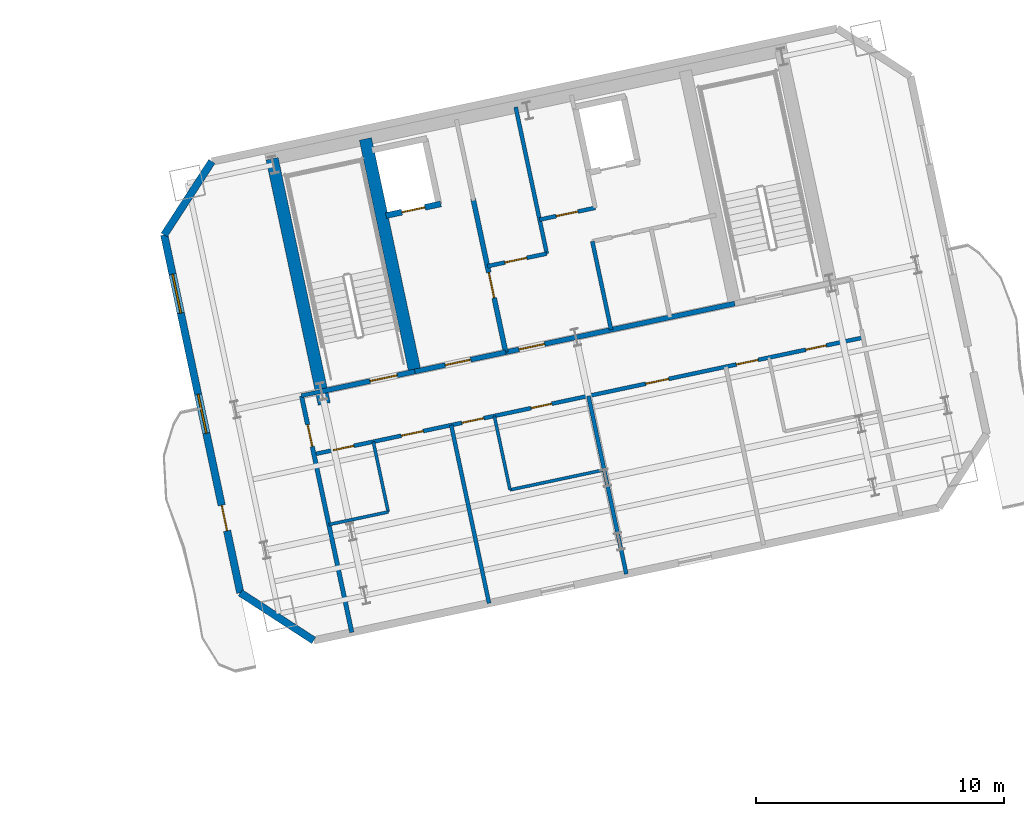
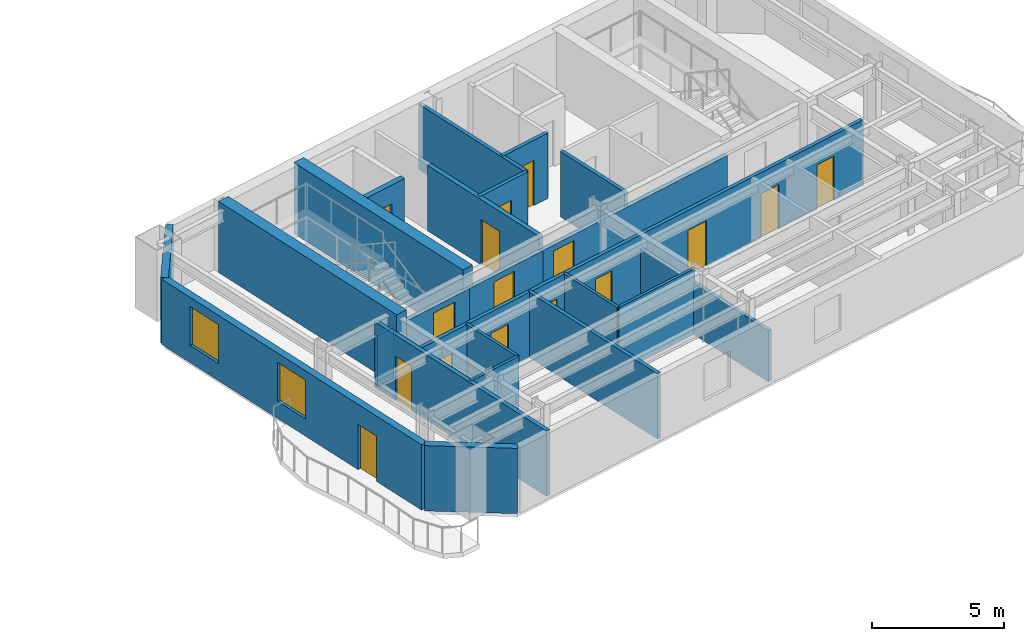
# One storey, part 8 of 14: 23 walls, 16 doors, 2 windows, 18 openings.
"""IFC4 building model written with IfcOpenShell, lengths in metres."""

from ifc_helpers import new_model, si_unit, direction, frame, frame_2d, origin, place, context, subcontext, project, spatial, rectangle, extrude, material, layer, layer_set, type_object, element, fill, save


model = new_model("IFC4")

# Units and contexts
model_context = context("Model", 3, precision=1e-05, world=origin(), true_north=direction((0.0, 1.0)))
body_context = subcontext(model_context, "Body", "Model", "MODEL_VIEW")
ifc_project = project(units=[si_unit("LENGTHUNIT", "METRE"), si_unit("AREAUNIT", "SQUARE_METRE"), si_unit("VOLUMEUNIT", "CUBIC_METRE"), si_unit("PLANEANGLEUNIT", "RADIAN"), si_unit("MASSUNIT", "GRAM", prefix="KILO")], contexts=[model_context])

# Site, building, storey
site_placement = place(None, origin())
site = spatial("IfcSite", under=ifc_project, at=site_placement, CompositionType="ELEMENT")
building_placement = place(site_placement, origin())
building = spatial("IfcBuilding", under=site, at=building_placement, Name="Haevon Station Towers", CompositionType="ELEMENT")
storey_placement = place(building_placement, frame((0.0, 0.0, 179.10009765625)))
storey = spatial("IfcBuildingStorey", under=building, at=storey_placement, Name="L49", CompositionType="ELEMENT", Elevation=179.10009765625)

# Wall, opening, door
ifc_material_1 = material(Name="Gypsum board on steel stud", Category="steel")
ifc_layer_1 = layer(ifc_material_1, 0.179931640625)
ifc_layer_set_1 = layer_set([ifc_layer_1], Name="Gypsum board on steel stud")
wall_type_1 = type_object("IfcWallType", Name="WL-ACU180", PredefinedType="PARTITIONING", material=ifc_layer_set_1)
wall_1_placement = place(storey_placement, frame((99.9716796875, 27.71337890625, 0.0), z_axis=(0.0, 0.0, 1.0), x_axis=(-0.207909264222, 0.97814811652, 0.0)))
wall_1 = element("IfcWall", 1, at=wall_1_placement, inside=storey, type_object=wall_type_1, Name="WL-T2PT-L49-03", PredefinedType="PARTITIONING", context=body_context, shape_type="SweptSolid", body=[
    extrude(rectangle(XDim=9.769775390625, YDim=0.179931640625, at=frame_2d((4.884765625, 0.0))), origin(), (0.0, 0.0, 1.0), 3.02978515625),
])
opening_1_placement = place(wall_1_placement, frame((7.669921875, 0.0, 0.0)))
opening_1 = element("IfcOpeningElement", 2, at=opening_1_placement, cuts=wall_1, Name="Opening DR-WL-T2PT-L49-03-01", PredefinedType="OPENING", context=body_context, shape_type="SweptSolid", body=[
    extrude(rectangle(XDim=0.89990234375, YDim=2.050048828125, at=frame_2d((0.449951171875, 1.02490234375))), frame((0.0, 0.099853515625, 0.0), z_axis=(0.0, -1.0, 0.0), x_axis=(1.0, 0.0, 0.0)), (0.0, 0.0, 1.0), 0.199951171875),
])
ifc_material_2 = material(Name="Engineered oak timber", Category="wood")
door_type_1 = type_object("IfcDoorType", Name="DR-INT-900", OperationType="NOTDEFINED", PredefinedType="DOOR", material=ifc_material_2)
door_1_placement = place(opening_1_placement, origin())
door_1 = element("IfcDoor", 3, at=door_1_placement, inside=storey, type_object=door_type_1, Name="L49 Tower 2 Room Door 3-1", OperationType="SINGLE_SWING_RIGHT", OverallHeight=2.050048828125, OverallWidth=0.89990234375, PredefinedType="DOOR", context=body_context, shape_type="SweptSolid", body=[
    extrude(rectangle(XDim=0.89990234375, YDim=2.050048828125, at=frame_2d((0.449951171875, 1.02490234375))), frame((0.0, 0.02490234375, 0.0), z_axis=(0.0, -1.0, 0.0), x_axis=(1.0, 0.0, 0.0)), (0.0, 0.0, 1.0), 0.050048828125),
])
fill(opening_1, door_1)

ifc_layer_2 = layer(ifc_material_1, 0.199951171875)
ifc_layer_set_2 = layer_set([ifc_layer_2], Name="Gypsum board on steel stud")
wall_type_2 = type_object("IfcWallType", Name="WL-COR200", PredefinedType="PARTITIONING", material=ifc_layer_set_2)
wall_2_placement = place(storey_placement, frame((98.75244140625, 37.4423828125, 0.0), z_axis=(0.0, 0.0, 1.0), x_axis=(0.978143537786, 0.207930804564, 0.0)))
wall_2 = element("IfcWall", 4, at=wall_2_placement, inside=storey, type_object=wall_type_2, Name="WL-ST-ST3-L49", PredefinedType="PARTITIONING", context=body_context, shape_type="SweptSolid", body=[
    extrude(rectangle(XDim=3.85009765625, YDim=0.199951171875, at=frame_2d((1.925048828125, 0.0))), origin(), (0.0, 0.0, 1.0), 2.3798828125),
])
opening_2_placement = place(wall_2_placement, frame((2.0, 0.0, 0.0)))
opening_2 = element("IfcOpeningElement", 5, at=opening_2_placement, cuts=wall_2, Name="Opening DR-ST-ST3-L49", PredefinedType="OPENING", context=body_context, shape_type="SweptSolid", body=[
    extrude(rectangle(XDim=1.1201171875, YDim=2.10009765625, at=frame_2d((0.56005859375, 1.050048828125))), frame((0.0, 0.10986328125, 0.0), z_axis=(0.0, -1.0, 0.0), x_axis=(1.0, 0.0, 0.0)), (0.0, 0.0, 1.0), 0.219970703125),
])
door_type_2 = type_object("IfcDoorType", Name="DR-ST-1120", OperationType="NOTDEFINED", PredefinedType="DOOR", material=ifc_material_2)
door_2_placement = place(opening_2_placement, origin())
door_2 = element("IfcDoor", 6, at=door_2_placement, inside=storey, type_object=door_type_2, Name="L49 Escape Stair ST3 Fire Door", OperationType="SINGLE_SWING_RIGHT", OverallHeight=2.10009765625, OverallWidth=1.1201171875, PredefinedType="DOOR", context=body_context, shape_type="SweptSolid", body=[
    extrude(rectangle(XDim=1.1201171875, YDim=2.10009765625, at=frame_2d((0.56005859375, 1.050048828125))), frame((0.0, 0.02490234375, 0.0), z_axis=(0.0, -1.0, 0.0), x_axis=(1.0, 0.0, 0.0)), (0.0, 0.0, 1.0), 0.050048828125),
])
fill(opening_2, door_2)

wall_3_placement = place(storey_placement, frame((106.186279296875, 39.0224609375, 0.0), z_axis=(0.0, 0.0, 1.0), x_axis=(-0.207916691923, 0.978146537703, 0.0)))
wall_3 = element("IfcWall", 7, at=wall_3_placement, inside=storey, type_object=wall_type_2, Name="WL-T2FFL-L49-E", PredefinedType="PARTITIONING", context=body_context, shape_type="SweptSolid", body=[
    extrude(rectangle(XDim=6.35009765625, YDim=0.199951171875, at=frame_2d((3.175048828125, 0.0))), origin(), (0.0, 0.0, 1.0), 3.02978515625),
])
opening_3_placement = place(wall_3_placement, frame((2.239990234375, 0.0, 0.0)))
opening_3 = element("IfcOpeningElement", 8, at=opening_3_placement, cuts=wall_3, Name="Opening DR-T2FFL-L49-E", PredefinedType="OPENING", context=body_context, shape_type="SweptSolid", body=[
    extrude(rectangle(XDim=1.050048828125, YDim=2.10009765625, at=frame_2d((0.52490234375, 1.050048828125))), frame((0.0, 0.10986328125, 0.0), z_axis=(0.0, -1.0, 0.0), x_axis=(1.0, 0.0, 0.0)), (0.0, 0.0, 1.0), 0.219970703125),
])
door_type_3 = type_object("IfcDoorType", Name="DR-FD60-1050", OperationType="NOTDEFINED", PredefinedType="DOOR", material=ifc_material_2)
door_3_placement = place(opening_3_placement, origin())
door_3 = element("IfcDoor", 9, at=door_3_placement, inside=storey, type_object=door_type_3, Name="L49 Tower 2 Firefighting Lift Lobby Door E", OperationType="SINGLE_SWING_RIGHT", OverallHeight=2.10009765625, OverallWidth=1.050048828125, PredefinedType="DOOR", context=body_context, shape_type="SweptSolid", body=[
    extrude(rectangle(XDim=1.050048828125, YDim=2.10009765625, at=frame_2d((0.52490234375, 1.050048828125))), frame((0.0, 0.02490234375, 0.0), z_axis=(0.0, -1.0, 0.0), x_axis=(1.0, 0.0, 0.0)), (0.0, 0.0, 1.0), 0.050048828125),
])
fill(opening_3, door_3)

wall_4_placement = place(storey_placement, frame((102.518310546875, 38.242919921875, 0.0), z_axis=(0.0, 0.0, 1.0), x_axis=(0.978153555683, 0.20788367301, 0.0)))
wall_4 = element("IfcWall", 10, at=wall_4_placement, inside=storey, type_object=wall_type_2, Name="WL-T2FFL-L49-S", PredefinedType="PARTITIONING", context=body_context, shape_type="SweptSolid", body=[
    extrude(rectangle(XDim=3.75, YDim=0.199951171875, at=frame_2d((1.875, 0.0))), origin(), (0.0, 0.0, 1.0), 2.3798828125),
])
opening_4_placement = place(wall_4_placement, frame((1.25, 0.0, 0.0)))
opening_4 = element("IfcOpeningElement", 11, at=opening_4_placement, cuts=wall_4, Name="Opening DR-T2FFL-L49-S", PredefinedType="OPENING", context=body_context, shape_type="SweptSolid", body=[
    extrude(rectangle(XDim=1.050048828125, YDim=2.10009765625, at=frame_2d((0.52490234375, 1.050048828125))), frame((0.0, 0.10986328125, 0.0), z_axis=(0.0, -1.0, 0.0), x_axis=(1.0, 0.0, 0.0)), (0.0, 0.0, 1.0), 0.219970703125),
])
door_4_placement = place(opening_4_placement, origin())
door_4 = element("IfcDoor", 12, at=door_4_placement, inside=storey, type_object=door_type_3, Name="L49 Tower 2 Firefighting Lift Lobby Door S", OperationType="SINGLE_SWING_LEFT", OverallHeight=2.10009765625, OverallWidth=1.050048828125, PredefinedType="DOOR", context=body_context, shape_type="SweptSolid", body=[
    extrude(rectangle(XDim=1.050048828125, YDim=2.10009765625, at=frame_2d((0.52490234375, 1.050048828125))), frame((0.0, 0.02490234375, 0.0), z_axis=(0.0, -1.0, 0.0), x_axis=(1.0, 0.0, 0.0)), (0.0, 0.0, 1.0), 0.050048828125),
])
fill(opening_4, door_4)

wall_5_placement = place(storey_placement, frame((106.186279296875, 39.0224609375, 0.0), z_axis=(0.0, 0.0, 1.0), x_axis=(0.978145519981, 0.20792147975, 0.0)))
wall_5 = element("IfcWall", 13, at=wall_5_placement, inside=storey, type_object=wall_type_2, Name="WL-T2CLB-L49", PredefinedType="PARTITIONING", context=body_context, shape_type="SweptSolid", body=[
    extrude(rectangle(XDim=9.449951171875, YDim=0.199951171875, at=frame_2d((4.72509765625, 0.0))), origin(), (0.0, 0.0, 1.0), 2.3798828125),
])
opening_5_placement = place(wall_5_placement, frame((0.550048828125, 0.0, 0.0)))
opening_5 = element("IfcOpeningElement", 14, at=opening_5_placement, cuts=wall_5, Name="Opening DR-T2CLB-L49-1", PredefinedType="OPENING", context=body_context, shape_type="SweptSolid", body=[
    extrude(rectangle(XDim=1.050048828125, YDim=2.10009765625, at=frame_2d((0.52490234375, 1.050048828125))), frame((0.0, 0.10986328125, 0.0), z_axis=(0.0, -1.0, 0.0), x_axis=(1.0, 0.0, 0.0)), (0.0, 0.0, 1.0), 0.219970703125),
])
door_5_placement = place(opening_5_placement, origin())
door_5 = element("IfcDoor", 15, at=door_5_placement, inside=storey, type_object=door_type_3, Name="L49 Tower 2 Core Lift Lobby Door 1", OperationType="SINGLE_SWING_RIGHT", OverallHeight=2.10009765625, OverallWidth=1.050048828125, PredefinedType="DOOR", context=body_context, shape_type="SweptSolid", body=[
    extrude(rectangle(XDim=1.050048828125, YDim=2.10009765625, at=frame_2d((0.52490234375, 1.050048828125))), frame((0.0, 0.02490234375, 0.0), z_axis=(0.0, -1.0, 0.0), x_axis=(1.0, 0.0, 0.0)), (0.0, 0.0, 1.0), 0.050048828125),
])
fill(opening_5, door_5)

# Walls
ifc_material_3 = material(Name="Concrete C60/75", Category="concrete")
ifc_layer_3 = layer(ifc_material_3, 0.5)
ifc_layer_set_3 = layer_set([ifc_layer_3], Name="Concrete C60/75")
wall_type_3 = type_object("IfcWallType", Name="WL-CR500", PredefinedType="SHEAR", material=ifc_layer_set_3)
wall_6_placement = place(storey_placement, frame((98.8603515625, 36.933837890625, 0.0), z_axis=(0.0, 0.0, 1.0), x_axis=(-0.20790924889, 0.978148119778, 0.0)))
element("IfcWall", 16, at=wall_6_placement, inside=storey, type_object=wall_type_3, Name="WL-T2CR-L49-W", PredefinedType="SHEAR", context=body_context, shape_type="SweptSolid", body=[
    extrude(rectangle(XDim=10.119873046875, YDim=0.5, at=frame_2d((5.06005859375, 0.0))), origin(), (0.0, 0.0, 1.0), 3.2998046875),
])
wall_7_placement = place(storey_placement, frame((102.518310546875, 38.242919921875, 0.0), z_axis=(0.0, 0.0, 1.0), x_axis=(-0.207927495108, 0.978144241295, 0.0)))
element("IfcWall", 17, at=wall_7_placement, inside=storey, type_object=wall_type_3, Name="WL-T2CR-L49-M1", PredefinedType="SHEAR", context=body_context, shape_type="SweptSolid", body=[
    extrude(rectangle(XDim=9.599853515625, YDim=0.5, at=frame_2d((4.7998046875, 0.0))), origin(), (0.0, 0.0, 1.0), 3.2998046875),
])
ifc_material_4 = material(Name="Precast concrete C45/55", Category="concrete")
ifc_layer_4 = layer(ifc_material_4, 0.300048828125)
ifc_layer_set_4 = layer_set([ifc_layer_4], Name="Precast concrete C45/55")
wall_type_4 = type_object("IfcWallType", Name="WL-EXT-PIER300", PredefinedType="SOLIDWALL", material=ifc_layer_set_4)
wall_8_placement = place(storey_placement, frame((98.43603515625, 27.386962890625, 0.0), z_axis=(0.0, 0.0, 1.0), x_axis=(-0.838672309694, 0.544636352948, 0.0)))
element("IfcWall", 18, at=wall_8_placement, inside=storey, type_object=wall_type_4, Name="WL-T2-L49-SWC", PredefinedType="SOLIDWALL", context=body_context, shape_type="SweptSolid", body=[
    extrude(rectangle(XDim=3.535400390625, YDim=0.300048828125, at=frame_2d((1.767578125, 0.0))), origin(), (0.0, 0.0, 1.0), 3.02978515625),
])

# Wall, openings, door, windows
wall_9_placement = place(storey_placement, frame((95.470947265625, 29.3125, 0.0), z_axis=(0.0, 0.0, 1.0), x_axis=(-0.207907783045, 0.978148431348, 0.0)))
wall_9 = element("IfcWall", 19, at=wall_9_placement, inside=storey, type_object=wall_type_4, Name="WL-T2-L49-W", PredefinedType="SOLIDWALL", context=body_context, shape_type="SweptSolid", body=[
    extrude(rectangle(XDim=14.77001953125, YDim=0.300048828125, at=frame_2d((7.385009765625, 0.0))), origin(), (0.0, 0.0, 1.0), 3.02978515625),
])
opening_6_placement = place(wall_9_placement, frame((2.56005859375, 0.0, 0.0)))
opening_6 = element("IfcOpeningElement", 20, at=opening_6_placement, cuts=wall_9, Name="Opening DR-T2-SCAL-L49-W", PredefinedType="OPENING", context=body_context, shape_type="SweptSolid", body=[
    extrude(rectangle(XDim=1.050048828125, YDim=2.10009765625, at=frame_2d((0.52490234375, 1.050048828125))), frame((0.0, 0.159912109375, 0.0), z_axis=(0.0, -1.0, 0.0), x_axis=(1.0, 0.0, 0.0)), (0.0, 0.0, 1.0), 0.320068359375),
])
opening_7_placement = place(wall_9_placement, frame((6.5849609375, 0.0, 0.800048828125)))
opening_7 = element("IfcOpeningElement", 21, at=opening_7_placement, cuts=wall_9, Name="Opening WN-END160", PredefinedType="OPENING", context=body_context, shape_type="SweptSolid", body=[
    extrude(rectangle(XDim=1.60009765625, YDim=1.800048828125, at=frame_2d((0.800048828125, 0.89990234375))), frame((0.0, 0.159912109375, 0.0), z_axis=(0.0, -1.0, 0.0), x_axis=(1.0, 0.0, 0.0)), (0.0, 0.0, 1.0), 0.320068359375),
])
opening_8_placement = place(wall_9_placement, frame((11.543701171875, 0.0, 0.800048828125)))
opening_8 = element("IfcOpeningElement", 22, at=opening_8_placement, cuts=wall_9, Name="Opening WN-END160", PredefinedType="OPENING", context=body_context, shape_type="SweptSolid", body=[
    extrude(rectangle(XDim=1.60009765625, YDim=1.800048828125, at=frame_2d((0.800048828125, 0.89990234375))), frame((0.0, 0.159912109375, 0.0), z_axis=(0.0, -1.0, 0.0), x_axis=(1.0, 0.0, 0.0)), (0.0, 0.0, 1.0), 0.320068359375),
])
ifc_material_5 = material(Name="Thermally broken anodised aluminium and laminated safety glass", Category="aluminium")
door_type_4 = type_object("IfcDoorType", Name="DR-BALC-1050", OperationType="NOTDEFINED", PredefinedType="DOOR", material=ifc_material_5)
door_6_placement = place(opening_6_placement, origin())
door_6 = element("IfcDoor", 23, at=door_6_placement, inside=storey, type_object=door_type_4, Name="Tower 2 L49 West Scalloped Balcony Door", OperationType="SINGLE_SWING_LEFT", OverallHeight=2.10009765625, OverallWidth=1.050048828125, PredefinedType="DOOR", context=body_context, shape_type="SweptSolid", body=[
    extrude(rectangle(XDim=1.050048828125, YDim=2.10009765625, at=frame_2d((0.52490234375, 1.050048828125))), frame((0.0, 0.02490234375, 0.0), z_axis=(0.0, -1.0, 0.0), x_axis=(1.0, 0.0, 0.0)), (0.0, 0.0, 1.0), 0.050048828125),
])
fill(opening_6, door_6)
ifc_material_6 = material(Name="Low-E triple glazing in thermally broken aluminium", Category="aluminium")
window_type = type_object("IfcWindowType", Name="WN-END160", PartitioningType="SINGLE_PANEL", PredefinedType="WINDOW", material=ifc_material_6)
window_1_placement = place(opening_7_placement, origin())
window_1 = element("IfcWindow", 24, at=window_1_placement, inside=storey, type_object=window_type, Name="WN-T2-L49-W01", OverallHeight=1.800048828125, OverallWidth=1.60009765625, PartitioningType="SINGLE_PANEL", PredefinedType="WINDOW", context=body_context, shape_type="SweptSolid", body=[
    extrude(rectangle(XDim=1.60009765625, YDim=1.800048828125, at=frame_2d((0.800048828125, 0.89990234375))), frame((0.0, 0.030029296875, 0.0), z_axis=(0.0, -1.0, 0.0), x_axis=(1.0, 0.0, 0.0)), (0.0, 0.0, 1.0), 0.06005859375),
])
fill(opening_7, window_1)
window_2_placement = place(opening_8_placement, origin())
window_2 = element("IfcWindow", 25, at=window_2_placement, inside=storey, type_object=window_type, Name="WN-T2-L49-W02", OverallHeight=1.800048828125, OverallWidth=1.60009765625, PartitioningType="SINGLE_PANEL", PredefinedType="WINDOW", context=body_context, shape_type="SweptSolid", body=[
    extrude(rectangle(XDim=1.60009765625, YDim=1.800048828125, at=frame_2d((0.800048828125, 0.89990234375))), frame((0.0, 0.030029296875, 0.0), z_axis=(0.0, -1.0, 0.0), x_axis=(1.0, 0.0, 0.0)), (0.0, 0.0, 1.0), 0.06005859375),
])
fill(opening_8, window_2)

# Walls
wall_10_placement = place(storey_placement, frame((92.400146484375, 43.759765625, 0.0), z_axis=(0.0, 0.0, 1.0), x_axis=(0.544636352948, 0.838672309694, 0.0)))
element("IfcWall", 26, at=wall_10_placement, inside=storey, type_object=wall_type_4, Name="WL-T2-L49-NWC", PredefinedType="SOLIDWALL", context=body_context, shape_type="SweptSolid", body=[
    extrude(rectangle(XDim=3.535400390625, YDim=0.300048828125, at=frame_2d((1.767578125, 0.0))), origin(), (0.0, 0.0, 1.0), 3.02978515625),
])
ifc_layer_5 = layer(ifc_material_1, 0.125)
ifc_layer_set_5 = layer_set([ifc_layer_5], Name="Gypsum board on steel stud")
wall_type_5 = type_object("IfcWallType", Name="WL-PRT125", PredefinedType="PARTITIONING", material=ifc_layer_set_5)
wall_11_placement = place(storey_placement, frame((99.046630859375, 32.066162109375, 0.0), z_axis=(0.0, 0.0, 1.0), x_axis=(0.978156824814, 0.207868290196, 0.0)))
element("IfcWall", 27, at=wall_11_placement, inside=storey, type_object=wall_type_5, Name="WL-T2PT-L49-05", PredefinedType="PARTITIONING", context=body_context, shape_type="SweptSolid", body=[
    extrude(rectangle(XDim=2.449951171875, YDim=0.125, at=frame_2d((1.22509765625, 0.0))), origin(), (0.0, 0.0, 1.0), 3.02978515625),
])
wall_12_placement = place(storey_placement, frame((101.443115234375, 32.575439453125, 0.0), z_axis=(0.0, 0.0, 1.0), x_axis=(-0.207936282142, 0.978142373363, 0.0)))
element("IfcWall", 28, at=wall_12_placement, inside=storey, type_object=wall_type_5, Name="WL-T2PT-L49-06", PredefinedType="PARTITIONING", context=body_context, shape_type="SweptSolid", body=[
    extrude(rectangle(XDim=2.900146484375, YDim=0.125, at=frame_2d((1.4501953125, 0.0))), origin(), (0.0, 0.0, 1.0), 3.02978515625),
])
wall_13_placement = place(storey_placement, frame((106.360107421875, 33.46728515625, 0.0), z_axis=(0.0, 0.0, 1.0), x_axis=(0.978153260542, 0.207885061733, 0.0)))
element("IfcWall", 29, at=wall_13_placement, inside=storey, type_object=wall_type_5, Name="WL-T2PT-L49-08", PredefinedType="PARTITIONING", context=body_context, shape_type="SweptSolid", body=[
    extrude(rectangle(XDim=3.885009765625, YDim=0.125, at=frame_2d((1.9423828125, 0.0))), origin(), (0.0, 0.0, 1.0), 3.02978515625),
])
wall_14_placement = place(storey_placement, frame((106.360107421875, 33.46728515625, 0.0), z_axis=(0.0, 0.0, 1.0), x_axis=(-0.207954487003, 0.978138503145, 0.0)))
element("IfcWall", 30, at=wall_14_placement, inside=storey, type_object=wall_type_5, Name="WL-T2PT-L49-09", PredefinedType="PARTITIONING", context=body_context, shape_type="SweptSolid", body=[
    extrude(rectangle(XDim=3.050048828125, YDim=0.125, at=frame_2d((1.52490234375, 0.0))), origin(), (0.0, 0.0, 1.0), 3.02978515625),
])

# Wall, opening, door
ifc_layer_6 = layer(ifc_material_1, 0.159912109375)
ifc_layer_set_6 = layer_set([ifc_layer_6], Name="Gypsum board on steel stud")
wall_type_6 = type_object("IfcWallType", Name="WL-PRT160", PredefinedType="PARTITIONING", material=ifc_layer_set_6)
wall_15_placement = place(storey_placement, frame((105.4482421875, 42.494873046875, 0.0), z_axis=(0.0, 0.0, 1.0), x_axis=(0.978136559131, 0.207963630695, 0.0)))
wall_15 = element("IfcWall", 31, at=wall_15_placement, inside=storey, type_object=wall_type_6, Name="WL-T2CW-L49-02", PredefinedType="PARTITIONING", context=body_context, shape_type="SweptSolid", body=[
    extrude(rectangle(XDim=2.449951171875, YDim=0.159912109375, at=frame_2d((1.22509765625, 0.0))), origin(), (0.0, 0.0, 1.0), 3.02978515625),
])
opening_9_placement = place(wall_15_placement, frame((0.719970703125, 0.0, 0.0)))
opening_9 = element("IfcOpeningElement", 32, at=opening_9_placement, cuts=wall_15, Name="Opening DR-WL-T2CW-L49-02-1", PredefinedType="OPENING", context=body_context, shape_type="SweptSolid", body=[
    extrude(rectangle(XDim=0.89990234375, YDim=2.10009765625, at=frame_2d((0.449951171875, 1.050048828125))), frame((0.0, 0.08984375, 0.0), z_axis=(0.0, -1.0, 0.0), x_axis=(1.0, 0.0, 0.0)), (0.0, 0.0, 1.0), 0.179931640625),
])
door_type_5 = type_object("IfcDoorType", Name="DR-FD60-900", OperationType="NOTDEFINED", PredefinedType="DOOR", material=ifc_material_2)
door_7_placement = place(opening_9_placement, origin())
door_7 = element("IfcDoor", 33, at=door_7_placement, inside=storey, type_object=door_type_5, Name="L49 Tower 2 Core Room Door 2-1", OperationType="SINGLE_SWING_RIGHT", OverallHeight=2.10009765625, OverallWidth=0.89990234375, PredefinedType="DOOR", context=body_context, shape_type="SweptSolid", body=[
    extrude(rectangle(XDim=0.89990234375, YDim=2.10009765625, at=frame_2d((0.449951171875, 1.050048828125))), frame((0.0, 0.02490234375, 0.0), z_axis=(0.0, -1.0, 0.0), x_axis=(1.0, 0.0, 0.0)), (0.0, 0.0, 1.0), 0.050048828125),
])
fill(opening_9, door_7)

# Wall
wall_16_placement = place(storey_placement, frame((107.8447265625, 43.00439453125, 0.0), z_axis=(0.0, 0.0, 1.0), x_axis=(-0.207944180755, 0.978140694221, 0.0)))
element("IfcWall", 34, at=wall_16_placement, inside=storey, type_object=wall_type_6, Name="WL-T2CW-L49-03", PredefinedType="PARTITIONING", context=body_context, shape_type="SweptSolid", body=[
    extrude(rectangle(XDim=6.050048828125, YDim=0.159912109375, at=frame_2d((3.02490234375, 0.0))), origin(), (0.0, 0.0, 1.0), 3.02978515625),
])

# Wall, opening, door
wall_17_placement = place(storey_placement, frame((107.553466796875, 44.373779296875, 0.0), z_axis=(0.0, 0.0, 1.0), x_axis=(0.978141312374, 0.207941273027, 0.0)))
wall_17 = element("IfcWall", 35, at=wall_17_placement, inside=storey, type_object=wall_type_6, Name="WL-T2CW-L49-04", PredefinedType="PARTITIONING", context=body_context, shape_type="SweptSolid", body=[
    extrude(rectangle(XDim=2.300048828125, YDim=0.159912109375, at=frame_2d((1.14990234375, 0.0))), origin(), (0.0, 0.0, 1.0), 3.02978515625),
])
opening_10_placement = place(wall_17_placement, frame((0.679931640625, 0.0, 0.0)))
opening_10 = element("IfcOpeningElement", 36, at=opening_10_placement, cuts=wall_17, Name="Opening DR-WL-T2CW-L49-04-1", PredefinedType="OPENING", context=body_context, shape_type="SweptSolid", body=[
    extrude(rectangle(XDim=0.89990234375, YDim=2.10009765625, at=frame_2d((0.449951171875, 1.050048828125))), frame((0.0, 0.08984375, 0.0), z_axis=(0.0, -1.0, 0.0), x_axis=(1.0, 0.0, 0.0)), (0.0, 0.0, 1.0), 0.179931640625),
])
door_8_placement = place(opening_10_placement, origin())
door_8 = element("IfcDoor", 37, at=door_8_placement, inside=storey, type_object=door_type_5, Name="L49 Tower 2 Core Room Door 4-1", OperationType="SINGLE_SWING_LEFT", OverallHeight=2.10009765625, OverallWidth=0.89990234375, PredefinedType="DOOR", context=body_context, shape_type="SweptSolid", body=[
    extrude(rectangle(XDim=0.89990234375, YDim=2.10009765625, at=frame_2d((0.449951171875, 1.050048828125))), frame((0.0, 0.02490234375, 0.0), z_axis=(0.0, -1.0, 0.0), x_axis=(1.0, 0.0, 0.0)), (0.0, 0.0, 1.0), 0.050048828125),
])
fill(opening_10, door_8)

# Walls
wall_18_placement = place(storey_placement, frame((110.441162109375, 39.927001953125, 0.0), z_axis=(0.0, 0.0, 1.0), x_axis=(-0.207884354546, 0.978153410838, 0.0)))
element("IfcWall", 38, at=wall_18_placement, inside=storey, type_object=wall_type_6, Name="WL-T2CW-L49-07", PredefinedType="PARTITIONING", context=body_context, shape_type="SweptSolid", body=[
    extrude(rectangle(XDim=3.650146484375, YDim=0.159912109375, at=frame_2d((1.8251953125, 0.0))), origin(), (0.0, 0.0, 1.0), 3.02978515625),
])
wall_19_placement = place(storey_placement, frame((97.9404296875, 37.269775390625, 0.0), z_axis=(0.0, 0.0, 1.0), x_axis=(0.978145395179, 0.207922066865, 0.0)))
element("IfcWall", 39, at=wall_19_placement, inside=storey, type_object=wall_type_6, Name="WL-T2PT-L49-01", PredefinedType="PARTITIONING", context=body_context, shape_type="SweptSolid", body=[
    extrude(rectangle(XDim=0.830078125, YDim=0.159912109375, at=frame_2d((0.4150390625, 0.0))), origin(), (0.0, 0.0, 1.0), 2.3798828125),
])
wall_20_placement = place(storey_placement, frame((105.512939453125, 28.89111328125, 0.0), z_axis=(0.0, 0.0, 1.0), x_axis=(-0.207900071021, 0.978150070526, 0.0)))
element("IfcWall", 40, at=wall_20_placement, inside=storey, type_object=wall_type_6, Name="WL-T2PT-L49-07", PredefinedType="PARTITIONING", context=body_context, shape_type="SweptSolid", body=[
    extrude(rectangle(XDim=7.35009765625, YDim=0.159912109375, at=frame_2d((3.675048828125, 0.0))), origin(), (0.0, 0.0, 1.0), 3.02978515625),
])
wall_21_placement = place(storey_placement, frame((111.05419921875, 30.069091796875, 0.0), z_axis=(0.0, 0.0, 1.0), x_axis=(-0.207906825994, 0.978148634771, 0.0)))
element("IfcWall", 41, at=wall_21_placement, inside=storey, type_object=wall_type_6, Name="WL-T2PT-L49-10", PredefinedType="PARTITIONING", context=body_context, shape_type="SweptSolid", body=[
    extrude(rectangle(XDim=7.349853515625, YDim=0.159912109375, at=frame_2d((3.6748046875, 0.0))), origin(), (0.0, 0.0, 1.0), 2.3798828125),
])

# Wall, openings, doors
wall_22_placement = place(storey_placement, frame((98.443603515625, 34.90283203125, 0.0), z_axis=(0.0, 0.0, 1.0), x_axis=(0.978148417056, 0.207907850286, 0.0)))
wall_22 = element("IfcWall", 42, at=wall_22_placement, inside=storey, type_object=wall_type_6, Name="WL-T2PT-L49-14", PredefinedType="PARTITIONING", context=body_context, shape_type="SweptSolid", body=[
    extrude(rectangle(XDim=22.659912109375, YDim=0.159912109375, at=frame_2d((11.330078125, 0.0))), origin(), (0.0, 0.0, 1.0), 3.02978515625),
])
opening_11_placement = place(wall_22_placement, frame((0.800048828125, 0.0, 0.0)))
opening_11 = element("IfcOpeningElement", 43, at=opening_11_placement, cuts=wall_22, Name="Opening DR-WL-T2PT-L49-14-01", PredefinedType="OPENING", context=body_context, shape_type="SweptSolid", body=[
    extrude(rectangle(XDim=0.85009765625, YDim=2.050048828125, at=frame_2d((0.425048828125, 1.02490234375))), frame((0.0, 0.08984375, 0.0), z_axis=(0.0, -1.0, 0.0), x_axis=(1.0, 0.0, 0.0)), (0.0, 0.0, 1.0), 0.179931640625),
])
opening_12_placement = place(wall_22_placement, frame((3.60693359375, 0.0, 0.0)))
opening_12 = element("IfcOpeningElement", 44, at=opening_12_placement, cuts=wall_22, Name="Opening DR-WL-T2PT-L49-14-02", PredefinedType="OPENING", context=body_context, shape_type="SweptSolid", body=[
    extrude(rectangle(XDim=0.89990234375, YDim=2.050048828125, at=frame_2d((0.449951171875, 1.02490234375))), frame((0.0, 0.08984375, 0.0), z_axis=(0.0, -1.0, 0.0), x_axis=(1.0, 0.0, 0.0)), (0.0, 0.0, 1.0), 0.179931640625),
])
opening_13_placement = place(wall_22_placement, frame((8.9619140625, 0.0, 0.0)))
opening_13 = element("IfcOpeningElement", 45, at=opening_13_placement, cuts=wall_22, Name="Opening DR-WL-T2PT-L49-14-03", PredefinedType="OPENING", context=body_context, shape_type="SweptSolid", body=[
    extrude(rectangle(XDim=0.85009765625, YDim=2.050048828125, at=frame_2d((0.425048828125, 1.02490234375))), frame((0.0, 0.08984375, 0.0), z_axis=(0.0, -1.0, 0.0), x_axis=(1.0, 0.0, 0.0)), (0.0, 0.0, 1.0), 0.179931640625),
])
opening_14_placement = place(wall_22_placement, frame((6.10498046875, 0.0, 0.0)))
opening_14 = element("IfcOpeningElement", 46, at=opening_14_placement, cuts=wall_22, Name="Opening DR-WL-T2PT-L49-14-04", PredefinedType="OPENING", context=body_context, shape_type="SweptSolid", body=[
    extrude(rectangle(XDim=0.89990234375, YDim=2.050048828125, at=frame_2d((0.449951171875, 1.02490234375))), frame((0.0, 0.08984375, 0.0), z_axis=(0.0, -1.0, 0.0), x_axis=(1.0, 0.0, 0.0)), (0.0, 0.0, 1.0), 0.179931640625),
])
opening_15_placement = place(wall_22_placement, frame((13.68701171875, 0.0, 0.0)))
opening_15 = element("IfcOpeningElement", 47, at=opening_15_placement, cuts=wall_22, Name="Opening DR-WL-T2PT-L49-14-05", PredefinedType="OPENING", context=body_context, shape_type="SweptSolid", body=[
    extrude(rectangle(XDim=0.949951171875, YDim=2.10009765625, at=frame_2d((0.47509765625, 1.050048828125))), frame((0.0, 0.08984375, 0.0), z_axis=(0.0, -1.0, 0.0), x_axis=(1.0, 0.0, 0.0)), (0.0, 0.0, 1.0), 0.179931640625),
])
opening_16_placement = place(wall_22_placement, frame((20.29296875, 0.0, 0.0)))
opening_16 = element("IfcOpeningElement", 48, at=opening_16_placement, cuts=wall_22, Name="Opening DR-WL-T2PT-L49-14-06", PredefinedType="OPENING", context=body_context, shape_type="SweptSolid", body=[
    extrude(rectangle(XDim=0.85009765625, YDim=2.050048828125, at=frame_2d((0.425048828125, 1.02490234375))), frame((0.0, 0.08984375, 0.0), z_axis=(0.0, -1.0, 0.0), x_axis=(1.0, 0.0, 0.0)), (0.0, 0.0, 1.0), 0.179931640625),
])
opening_17_placement = place(wall_22_placement, frame((17.43505859375, 0.0, 0.0)))
opening_17 = element("IfcOpeningElement", 49, at=opening_17_placement, cuts=wall_22, Name="Opening DR-WL-T2PT-L49-14-07", PredefinedType="OPENING", context=body_context, shape_type="SweptSolid", body=[
    extrude(rectangle(XDim=0.89990234375, YDim=2.050048828125, at=frame_2d((0.449951171875, 1.02490234375))), frame((0.0, 0.08984375, 0.0), z_axis=(0.0, -1.0, 0.0), x_axis=(1.0, 0.0, 0.0)), (0.0, 0.0, 1.0), 0.179931640625),
])
door_type_6 = type_object("IfcDoorType", Name="DR-FD30-850", OperationType="NOTDEFINED", PredefinedType="DOOR", material=ifc_material_2)
door_9_placement = place(opening_11_placement, origin())
door_9 = element("IfcDoor", 50, at=door_9_placement, inside=storey, type_object=door_type_6, Name="L49 Tower 2 Room Door 14-1", OperationType="SINGLE_SWING_RIGHT", OverallHeight=2.050048828125, OverallWidth=0.85009765625, PredefinedType="DOOR", context=body_context, shape_type="SweptSolid", body=[
    extrude(rectangle(XDim=0.85009765625, YDim=2.050048828125, at=frame_2d((0.425048828125, 1.02490234375))), frame((0.0, 0.02490234375, 0.0), z_axis=(0.0, -1.0, 0.0), x_axis=(1.0, 0.0, 0.0)), (0.0, 0.0, 1.0), 0.050048828125),
])
fill(opening_11, door_9)
door_10_placement = place(opening_13_placement, origin())
door_10 = element("IfcDoor", 51, at=door_10_placement, inside=storey, type_object=door_type_6, Name="L49 Tower 2 Room Door 14-3", OperationType="SINGLE_SWING_RIGHT", OverallHeight=2.050048828125, OverallWidth=0.85009765625, PredefinedType="DOOR", context=body_context, shape_type="SweptSolid", body=[
    extrude(rectangle(XDim=0.85009765625, YDim=2.050048828125, at=frame_2d((0.425048828125, 1.02490234375))), frame((0.0, 0.02490234375, 0.0), z_axis=(0.0, -1.0, 0.0), x_axis=(1.0, 0.0, 0.0)), (0.0, 0.0, 1.0), 0.050048828125),
])
fill(opening_13, door_10)
door_11_placement = place(opening_16_placement, origin())
door_11 = element("IfcDoor", 52, at=door_11_placement, inside=storey, type_object=door_type_6, Name="L49 Tower 2 Room Door 14-6", OperationType="SINGLE_SWING_LEFT", OverallHeight=2.050048828125, OverallWidth=0.85009765625, PredefinedType="DOOR", context=body_context, shape_type="SweptSolid", body=[
    extrude(rectangle(XDim=0.85009765625, YDim=2.050048828125, at=frame_2d((0.425048828125, 1.02490234375))), frame((0.0, 0.02490234375, 0.0), z_axis=(0.0, -1.0, 0.0), x_axis=(1.0, 0.0, 0.0)), (0.0, 0.0, 1.0), 0.050048828125),
])
fill(opening_16, door_11)
door_type_7 = type_object("IfcDoorType", Name="DR-FD30-950", OperationType="NOTDEFINED", PredefinedType="DOOR", material=ifc_material_2)
door_12_placement = place(opening_15_placement, origin())
door_12 = element("IfcDoor", 53, at=door_12_placement, inside=storey, type_object=door_type_7, Name="L49 Tower 2 Room Door 14-5", OperationType="SINGLE_SWING_RIGHT", OverallHeight=2.10009765625, OverallWidth=0.949951171875, PredefinedType="DOOR", context=body_context, shape_type="SweptSolid", body=[
    extrude(rectangle(XDim=0.949951171875, YDim=2.10009765625, at=frame_2d((0.47509765625, 1.050048828125))), frame((0.0, 0.02490234375, 0.0), z_axis=(0.0, -1.0, 0.0), x_axis=(1.0, 0.0, 0.0)), (0.0, 0.0, 1.0), 0.050048828125),
])
fill(opening_15, door_12)
door_13_placement = place(opening_12_placement, origin())
door_13 = element("IfcDoor", 54, at=door_13_placement, inside=storey, type_object=door_type_1, Name="L49 Tower 2 Room Door 14-2", OperationType="SINGLE_SWING_LEFT", OverallHeight=2.050048828125, OverallWidth=0.89990234375, PredefinedType="DOOR", context=body_context, shape_type="SweptSolid", body=[
    extrude(rectangle(XDim=0.89990234375, YDim=2.050048828125, at=frame_2d((0.449951171875, 1.02490234375))), frame((0.0, 0.02490234375, 0.0), z_axis=(0.0, -1.0, 0.0), x_axis=(1.0, 0.0, 0.0)), (0.0, 0.0, 1.0), 0.050048828125),
])
fill(opening_12, door_13)
door_14_placement = place(opening_14_placement, origin())
door_14 = element("IfcDoor", 55, at=door_14_placement, inside=storey, type_object=door_type_1, Name="L49 Tower 2 Room Door 14-4", OperationType="SINGLE_SWING_LEFT", OverallHeight=2.050048828125, OverallWidth=0.89990234375, PredefinedType="DOOR", context=body_context, shape_type="SweptSolid", body=[
    extrude(rectangle(XDim=0.89990234375, YDim=2.050048828125, at=frame_2d((0.449951171875, 1.02490234375))), frame((0.0, 0.02490234375, 0.0), z_axis=(0.0, -1.0, 0.0), x_axis=(1.0, 0.0, 0.0)), (0.0, 0.0, 1.0), 0.050048828125),
])
fill(opening_14, door_14)
door_15_placement = place(opening_17_placement, origin())
door_15 = element("IfcDoor", 56, at=door_15_placement, inside=storey, type_object=door_type_1, Name="L49 Tower 2 Room Door 14-7", OperationType="SINGLE_SWING_RIGHT", OverallHeight=2.050048828125, OverallWidth=0.89990234375, PredefinedType="DOOR", context=body_context, shape_type="SweptSolid", body=[
    extrude(rectangle(XDim=0.89990234375, YDim=2.050048828125, at=frame_2d((0.449951171875, 1.02490234375))), frame((0.0, 0.02490234375, 0.0), z_axis=(0.0, -1.0, 0.0), x_axis=(1.0, 0.0, 0.0)), (0.0, 0.0, 1.0), 0.050048828125),
])
fill(opening_17, door_15)

# Wall, opening, door
ifc_material_7 = material(Name="Concrete C40/50", Category="concrete")
ifc_layer_7 = layer(ifc_material_7, 0.239990234375)
ifc_layer_set_7 = layer_set([ifc_layer_7], Name="Concrete C40/50")
wall_type_7 = type_object("IfcWallType", Name="WL-SHF240", PredefinedType="PARTITIONING", material=ifc_layer_set_7)
wall_23_placement = place(storey_placement, frame((101.353759765625, 44.538330078125, 0.0), z_axis=(0.0, 0.0, 1.0), x_axis=(0.978141002414, 0.207942731049, 0.0)))
wall_23 = element("IfcWall", 57, at=wall_23_placement, inside=storey, type_object=wall_type_7, Name="WL-SHF-FL2-L49", PredefinedType="PARTITIONING", context=body_context, shape_type="SweptSolid", body=[
    extrude(rectangle(XDim=2.260009765625, YDim=0.239990234375, at=frame_2d((1.1298828125, 0.0))), origin(), (0.0, 0.0, 1.0), 3.02978515625),
])
opening_18_placement = place(wall_23_placement, frame((0.655029296875, 0.0, 0.0)))
opening_18 = element("IfcOpeningElement", 58, at=opening_18_placement, cuts=wall_23, Name="Opening LD-FL2-L49", PredefinedType="OPENING", context=body_context, shape_type="SweptSolid", body=[
    extrude(rectangle(XDim=0.949951171875, YDim=2.14990234375, at=frame_2d((0.47509765625, 1.074951171875))), frame((0.0, 0.1298828125, 0.0), z_axis=(0.0, -1.0, 0.0), x_axis=(1.0, 0.0, 0.0)), (0.0, 0.0, 1.0), 0.260009765625),
])
ifc_material_8 = material(Name="Stainless steel and rated core", Category="steel")
door_type_8 = type_object("IfcDoorType", Name="LD-FL950", OperationType="SLIDING_TO_LEFT", PredefinedType="DOOR", material=ifc_material_8)
door_16_placement = place(opening_18_placement, origin())
door_16 = element("IfcDoor", 59, at=door_16_placement, inside=storey, type_object=door_type_8, Name="L49 Lift FL2 Sliding Landing Door", OperationType="SLIDING_TO_LEFT", OverallHeight=2.14990234375, OverallWidth=0.949951171875, PredefinedType="DOOR", context=body_context, shape_type="SweptSolid", body=[
    extrude(rectangle(XDim=0.949951171875, YDim=2.14990234375, at=frame_2d((0.47509765625, 1.074951171875))), frame((0.0, 0.02490234375, 0.0), z_axis=(0.0, -1.0, 0.0), x_axis=(1.0, 0.0, 0.0)), (0.0, 0.0, 1.0), 0.050048828125),
])
fill(opening_18, door_16)

save(model, "model.ifc")
